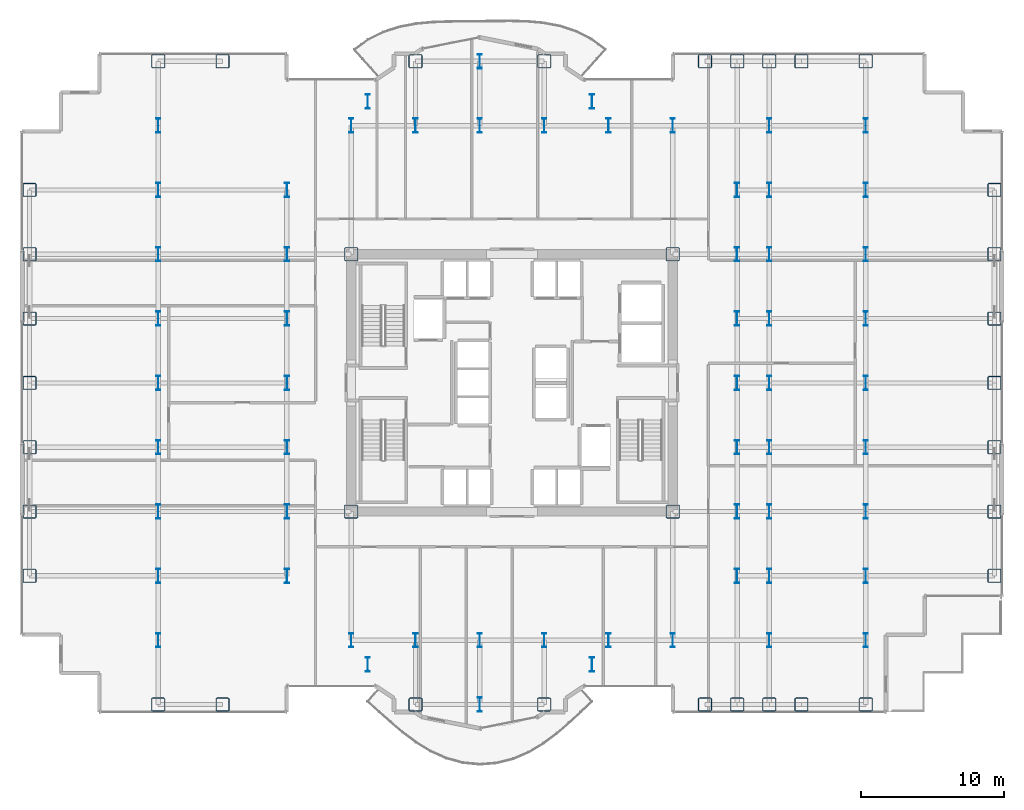
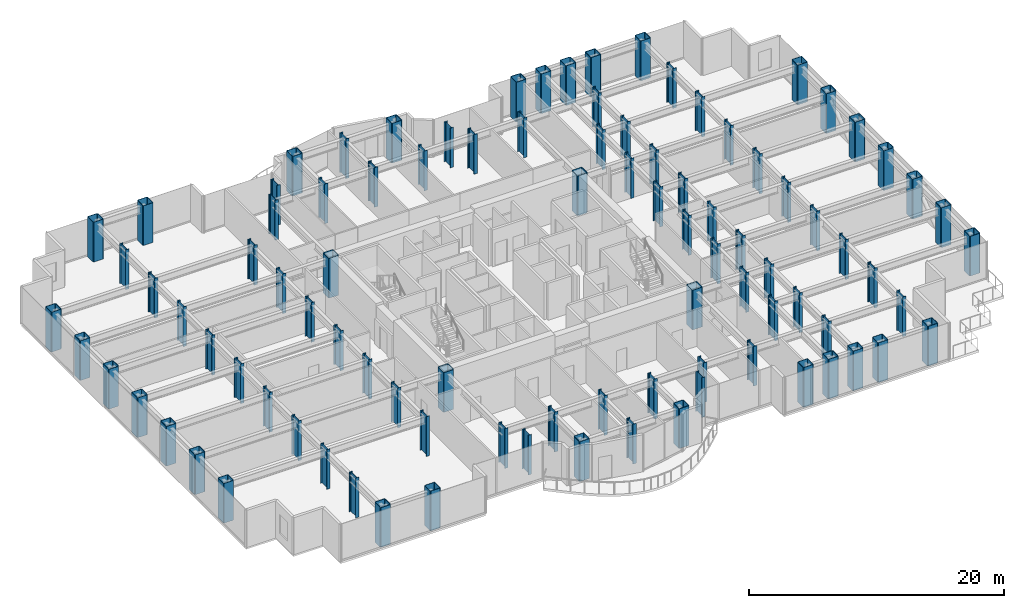
# One storey, part 1 of 29: 95 columns.
"""IFC4 building model written with IfcOpenShell, lengths in metres."""

from ifc_helpers import new_model, si_unit, direction, frame, origin, origin_2d, place, context, subcontext, project, spatial, hollow_rectangle, i_section, extrude, source, transform, mapped, material, material_profile, profile_set, type_object, element, save


model = new_model("IFC4")

# Units and contexts
model_context = context("Model", 3, precision=1e-05, world=origin(), true_north=direction((0.0, 1.0)))
body_context = subcontext(model_context, "Body", "Model", "MODEL_VIEW")
ifc_project = project(units=[si_unit("LENGTHUNIT", "METRE"), si_unit("AREAUNIT", "SQUARE_METRE"), si_unit("VOLUMEUNIT", "CUBIC_METRE"), si_unit("PLANEANGLEUNIT", "RADIAN"), si_unit("MASSUNIT", "GRAM", prefix="KILO")], contexts=[model_context])

# Site, building, storey
site_placement = place(None, origin())
site = spatial("IfcSite", under=ifc_project, at=site_placement, CompositionType="ELEMENT")
building_placement = place(site_placement, origin())
building = spatial("IfcBuilding", under=site, at=building_placement, Name="Nefas-Gora Pilgrimage Tower", CompositionType="ELEMENT")
storey_placement = place(building_placement, frame((0.0, 0.0, 67.199951171875)))
storey = spatial("IfcBuildingStorey", under=building, at=storey_placement, Name="L15", CompositionType="ELEMENT", Elevation=67.199951171875)

# Columns
ifc_material = material(Name="Steel S460", Category="steel")
ifc_material_profile_1 = material_profile(ifc_material, hollow_rectangle(XDim=0.949951171875, YDim=0.949951171875, WallThickness=0.044921875, InnerFilletRadius=0.044921875, OuterFilletRadius=0.090087890625, at=origin_2d()), Name="BOX 950x950x45")
ifc_profile_set_1 = profile_set([ifc_material_profile_1], Name="Steel S460")
column_type_1 = type_object("IfcColumnType", Name="COL-TUBE-950", PredefinedType="COLUMN", material=ifc_profile_set_1)
shared_shape_1 = source(origin(), body_context, "Body", "SweptSolid", [
    extrude(hollow_rectangle(XDim=0.949951171875, YDim=0.949951171875, WallThickness=0.044921875, InnerFilletRadius=0.044921875, OuterFilletRadius=0.090087890625, at=origin_2d()), origin(), (0.0, 0.0, 1.0), 3.800048828125),
])
for number, where, z_axis, x_axis, name in (
    (1, (-33.75, -13.5, 0.0), (0.0, 0.0, 1.0), (1.0, 0.0, 0.0), "L15 Tower Column C-Z1.1"),
    (2, (-33.75, -9.0, 0.0), (0.0, 0.0, 1.0), (1.0, 0.0, 0.0), "L15 Tower Column C-Z1.2"),
    (3, (-33.75, -4.5, 0.0), (0.0, 0.0, 1.0), (1.0, 0.0, 0.0), "L15 Tower Column C-Z1.3"),
    (4, (-33.75, 0.0, 0.0), (0.0, 0.0, 1.0), (1.0, 0.0, 0.0), "L15 Tower Column C-Z1.4"),
    (5, (-33.75, 4.5, 0.0), (0.0, 0.0, 1.0), (1.0, 0.0, 0.0), "L15 Tower Column C-Z1.5"),
    (6, (-33.75, 9.0, 0.0), (0.0, 0.0, 1.0), (1.0, 0.0, 0.0), "L15 Tower Column C-Z1.6"),
    (7, (-33.75, 13.5, 0.0), (0.0, 0.0, 1.0), (1.0, 0.0, 0.0), "L15 Tower Column C-Z1.7"),
    (8, (-24.75, -22.5, 0.0), (0.0, 0.0, 1.0), (1.0, 0.0, 0.0), "L15 Tower Column C-Z1.8"),
    (9, (-24.75, 22.5, 0.0), (0.0, 0.0, 1.0), (1.0, 0.0, 0.0), "L15 Tower Column C-Z1.18"),
    (10, (-20.25, -22.5, 0.0), (0.0, 0.0, 1.0), (1.0, 0.0, 0.0), "L15 Tower Column C-Z1.19"),
    (11, (-20.25, 22.5, 0.0), (0.0, 0.0, 1.0), (1.0, 0.0, 0.0), "L15 Tower Column C-Z1.20"),
    (12, (-6.75, -22.5, 0.0), (0.0, 0.0, 1.0), (1.0, 0.0, 0.0), "L15 Tower Column C-Z1.34"),
    (13, (-6.75, 22.5, 0.0), (0.0, 0.0, 1.0), (1.0, 0.0, 0.0), "L15 Tower Column C-Z1.37"),
    (14, (2.25, -22.5, 0.0), (0.0, 0.0, 1.0), (1.0, 0.0, 0.0), "L15 Tower Column C-Z1.42"),
    (15, (2.25, 22.5, 0.0), (0.0, 0.0, 1.0), (1.0, 0.0, 0.0), "L15 Tower Column C-Z1.45"),
    (16, (13.5, -22.5, 0.0), (0.0, 0.0, 1.0), (1.0, 0.0, 0.0), "L15 Tower Column C-Z1.54"),
    (17, (13.5, 22.5, 0.0), (0.0, 0.0, 1.0), (1.0, 0.0, 0.0), "L15 Tower Column C-Z1.55"),
    (18, (15.75, -22.5, 0.0), (0.0, 0.0, 1.0), (1.0, 0.0, 0.0), "L15 Tower Column C-Z1.56"),
    (19, (15.75, 22.5, 0.0), (0.0, 0.0, 1.0), (1.0, 0.0, 0.0), "L15 Tower Column C-Z1.64"),
    (20, (18.0, -22.5, 0.0), (0.0, 0.0, 1.0), (1.0, 0.0, 0.0), "L15 Tower Column C-Z1.65"),
    (21, (18.0, 22.5, 0.0), (0.0, 0.0, 1.0), (1.0, 0.0, 0.0), "L15 Tower Column C-Z1.75"),
    (22, (20.25, -22.5, 0.0), (0.0, 0.0, 1.0), (1.0, 0.0, 0.0), "L15 Tower Column C-Z1.76"),
    (23, (20.25, 22.5, 0.0), (0.0, 0.0, 1.0), (1.0, 0.0, 0.0), "L15 Tower Column C-Z1.77"),
    (24, (24.75, -22.5, 0.0), (0.0, 0.0, 1.0), (1.0, 0.0, 0.0), "L15 Tower Column C-Z1.78"),
    (25, (24.75, 22.5, 0.0), (0.0, 0.0, 1.0), (1.0, 0.0, 0.0), "L15 Tower Column C-Z1.88"),
    (26, (33.75, -13.5, 0.0), (0.0, 0.0, 1.0), (1.0, 0.0, 0.0), "L15 Tower Column C-Z1.89"),
    (27, (33.75, -9.0, 0.0), (0.0, 0.0, 1.0), (1.0, 0.0, 0.0), "L15 Tower Column C-Z1.90"),
    (28, (33.75, -4.5, 0.0), (0.0, 0.0, 1.0), (1.0, 0.0, 0.0), "L15 Tower Column C-Z1.91"),
    (29, (33.75, 0.0, 0.0), (0.0, 0.0, 1.0), (1.0, 0.0, 0.0), "L15 Tower Column C-Z1.92"),
    (30, (33.75, 4.5, 0.0), (0.0, 0.0, 1.0), (1.0, 0.0, 0.0), "L15 Tower Column C-Z1.93"),
    (31, (33.75, 9.0, 0.0), (0.0, 0.0, 1.0), (1.0, 0.0, 0.0), "L15 Tower Column C-Z1.94"),
    (32, (33.75, 13.5, 0.0), (0.0, 0.0, 1.0), (1.0, 0.0, 0.0), "L15 Tower Column C-Z1.95"),
):
    element("IfcColumn", number, at=place(storey_placement, frame(where, z_axis=z_axis, x_axis=x_axis)), inside=storey, type_object=column_type_1, Name=name, PredefinedType="COLUMN", context=body_context, shape_type="MappedRepresentation", body=[
        mapped(shared_shape_1, transform((0.0, 0.0, 0.0), x_axis=(1.0, 0.0, 0.0), y_axis=(0.0, 1.0, 0.0), z_axis=(0.0, 0.0, 1.0), scale=1.0)),
    ])
ifc_material_profile_2 = material_profile(ifc_material, i_section(OverallWidth=0.302001953125, OverallDepth=1.008056640625, WebThickness=0.02099609375, FlangeThickness=0.0400390625, FilletRadius=0.030029296875, at=origin_2d()), Name="HEM 1000")
ifc_profile_set_2 = profile_set([ifc_material_profile_2], Name="Steel S460")
column_type_2 = type_object("IfcColumnType", Name="COL-WEB-HEM1000", PredefinedType="COLUMN", material=ifc_profile_set_2)
shared_shape_2 = source(origin(), body_context, "Body", "SweptSolid", [
    extrude(i_section(OverallWidth=0.302001953125, OverallDepth=1.008056640625, WebThickness=0.02099609375, FlangeThickness=0.0400390625, FilletRadius=0.030029296875, at=origin_2d()), origin(), (0.0, 0.0, 1.0), 3.800048828125),
])
for number, where, z_axis, x_axis, name in (
    (33, (-24.75, -18.0, 0.0), (0.0, 0.0, 1.0), (1.0, 0.0, 0.0), "L15 Tower Column CW-01.9"),
    (34, (-24.75, -13.5, 0.0), (0.0, 0.0, 1.0), (1.0, 0.0, 0.0), "L15 Tower Column CW-01.10"),
    (35, (-24.75, -9.0, 0.0), (0.0, 0.0, 1.0), (1.0, 0.0, 0.0), "L15 Tower Column CW-01.11"),
    (36, (-24.75, -4.5, 0.0), (0.0, 0.0, 1.0), (1.0, 0.0, 0.0), "L15 Tower Column CW-01.12"),
    (37, (-24.75, 0.0, 0.0), (0.0, 0.0, 1.0), (1.0, 0.0, 0.0), "L15 Tower Column CW-01.13"),
    (38, (-24.75, 4.5, 0.0), (0.0, 0.0, 1.0), (1.0, 0.0, 0.0), "L15 Tower Column CW-01.14"),
    (39, (-24.75, 9.0, 0.0), (0.0, 0.0, 1.0), (1.0, 0.0, 0.0), "L15 Tower Column CW-01.15"),
    (40, (-24.75, 13.5, 0.0), (0.0, 0.0, 1.0), (1.0, 0.0, 0.0), "L15 Tower Column CW-01.16"),
    (41, (-24.75, 18.0, 0.0), (0.0, 0.0, 1.0), (1.0, 0.0, 0.0), "L15 Tower Column CW-01.17"),
    (42, (-15.75, -13.5, 0.0), (0.0, 0.0, 1.0), (1.0, 0.0, 0.0), "L15 Tower Column CW-01.21"),
    (43, (-15.75, -9.0, 0.0), (0.0, 0.0, 1.0), (1.0, 0.0, 0.0), "L15 Tower Column CW-01.22"),
    (44, (-15.75, -4.5, 0.0), (0.0, 0.0, 1.0), (1.0, 0.0, 0.0), "L15 Tower Column CW-01.23"),
    (45, (-15.75, 0.0, 0.0), (0.0, 0.0, 1.0), (1.0, 0.0, 0.0), "L15 Tower Column CW-01.24"),
    (46, (-15.75, 4.5, 0.0), (0.0, 0.0, 1.0), (1.0, 0.0, 0.0), "L15 Tower Column CW-01.25"),
    (47, (-15.75, 9.0, 0.0), (0.0, 0.0, 1.0), (1.0, 0.0, 0.0), "L15 Tower Column CW-01.26"),
    (48, (-15.75, 13.5, 0.0), (0.0, 0.0, 1.0), (1.0, 0.0, 0.0), "L15 Tower Column CW-01.27"),
    (49, (-11.25, -18.0, 0.0), (0.0, 0.0, 1.0), (1.0, 0.0, 0.0), "L15 Tower Column CW-01.28"),
    (50, (-11.25, 18.0, 0.0), (0.0, 0.0, 1.0), (1.0, 0.0, 0.0), "L15 Tower Column CW-01.31"),
    (51, (-10.091064453125, -19.696044921875, 0.0), (0.0, 0.0, 1.0), (1.0, 0.0, 0.0), "L15 Tower Column CW-01.32"),
    (52, (-10.091064453125, 19.696044921875, 0.0), (0.0, 0.0, 1.0), (1.0, 0.0, 0.0), "L15 Tower Column CW-01.33"),
    (53, (-6.75, -18.0, 0.0), (0.0, 0.0, 1.0), (1.0, 0.0, 0.0), "L15 Tower Column CW-01.35"),
    (54, (-6.75, 18.0, 0.0), (0.0, 0.0, 1.0), (1.0, 0.0, 0.0), "L15 Tower Column CW-01.36"),
    (55, (-2.25, -22.5, 0.0), (0.0, 0.0, 1.0), (1.0, 0.0, 0.0), "L15 Tower Column CW-01.38"),
    (56, (-2.25, -18.0, 0.0), (0.0, 0.0, 1.0), (1.0, 0.0, 0.0), "L15 Tower Column CW-01.39"),
    (57, (-2.25, 18.0, 0.0), (0.0, 0.0, 1.0), (1.0, 0.0, 0.0), "L15 Tower Column CW-01.40"),
    (58, (-2.25, 22.5, 0.0), (0.0, 0.0, 1.0), (1.0, 0.0, 0.0), "L15 Tower Column CW-01.41"),
    (59, (2.25, -18.0, 0.0), (0.0, 0.0, 1.0), (1.0, 0.0, 0.0), "L15 Tower Column CW-01.43"),
    (60, (2.25, 18.0, 0.0), (0.0, 0.0, 1.0), (1.0, 0.0, 0.0), "L15 Tower Column CW-01.44"),
    (61, (5.591064453125, -19.696044921875, 0.0), (0.0, 0.0, 1.0), (1.0, 0.0, 0.0), "L15 Tower Column CW-01.46"),
    (62, (5.591064453125, 19.696044921875, 0.0), (0.0, 0.0, 1.0), (1.0, 0.0, 0.0), "L15 Tower Column CW-01.47"),
    (63, (6.75, -18.0, 0.0), (0.0, 0.0, 1.0), (1.0, 0.0, 0.0), "L15 Tower Column CW-01.48"),
    (64, (6.75, 18.0, 0.0), (0.0, 0.0, 1.0), (1.0, 0.0, 0.0), "L15 Tower Column CW-01.49"),
    (65, (11.25, -18.0, 0.0), (0.0, 0.0, 1.0), (1.0, 0.0, 0.0), "L15 Tower Column CW-01.50"),
    (66, (11.25, 18.0, 0.0), (0.0, 0.0, 1.0), (1.0, 0.0, 0.0), "L15 Tower Column CW-01.53"),
    (67, (15.75, -13.5, 0.0), (0.0, 0.0, 1.0), (1.0, 0.0, 0.0), "L15 Tower Column CW-01.57"),
    (68, (15.75, -9.0, 0.0), (0.0, 0.0, 1.0), (1.0, 0.0, 0.0), "L15 Tower Column CW-01.58"),
    (69, (15.75, -4.5, 0.0), (0.0, 0.0, 1.0), (1.0, 0.0, 0.0), "L15 Tower Column CW-01.59"),
    (70, (15.75, 0.0, 0.0), (0.0, 0.0, 1.0), (1.0, 0.0, 0.0), "L15 Tower Column CW-01.60"),
    (71, (15.75, 4.5, 0.0), (0.0, 0.0, 1.0), (1.0, 0.0, 0.0), "L15 Tower Column CW-01.61"),
    (72, (15.75, 9.0, 0.0), (0.0, 0.0, 1.0), (1.0, 0.0, 0.0), "L15 Tower Column CW-01.62"),
    (73, (15.75, 13.5, 0.0), (0.0, 0.0, 1.0), (1.0, 0.0, 0.0), "L15 Tower Column CW-01.63"),
    (74, (18.0, -18.0, 0.0), (0.0, 0.0, 1.0), (1.0, 0.0, 0.0), "L15 Tower Column CW-01.66"),
    (75, (18.0, -13.5, 0.0), (0.0, 0.0, 1.0), (1.0, 0.0, 0.0), "L15 Tower Column CW-01.67"),
    (76, (18.0, -9.0, 0.0), (0.0, 0.0, 1.0), (1.0, 0.0, 0.0), "L15 Tower Column CW-01.68"),
    (77, (18.0, -4.5, 0.0), (0.0, 0.0, 1.0), (1.0, 0.0, 0.0), "L15 Tower Column CW-01.69"),
    (78, (18.0, 0.0, 0.0), (0.0, 0.0, 1.0), (1.0, 0.0, 0.0), "L15 Tower Column CW-01.70"),
    (79, (18.0, 4.5, 0.0), (0.0, 0.0, 1.0), (1.0, 0.0, 0.0), "L15 Tower Column CW-01.71"),
    (80, (18.0, 9.0, 0.0), (0.0, 0.0, 1.0), (1.0, 0.0, 0.0), "L15 Tower Column CW-01.72"),
    (81, (18.0, 13.5, 0.0), (0.0, 0.0, 1.0), (1.0, 0.0, 0.0), "L15 Tower Column CW-01.73"),
    (82, (18.0, 18.0, 0.0), (0.0, 0.0, 1.0), (1.0, 0.0, 0.0), "L15 Tower Column CW-01.74"),
    (83, (24.75, -18.0, 0.0), (0.0, 0.0, 1.0), (1.0, 0.0, 0.0), "L15 Tower Column CW-01.79"),
    (84, (24.75, -13.5, 0.0), (0.0, 0.0, 1.0), (1.0, 0.0, 0.0), "L15 Tower Column CW-01.80"),
    (85, (24.75, -9.0, 0.0), (0.0, 0.0, 1.0), (1.0, 0.0, 0.0), "L15 Tower Column CW-01.81"),
    (86, (24.75, -4.5, 0.0), (0.0, 0.0, 1.0), (1.0, 0.0, 0.0), "L15 Tower Column CW-01.82"),
    (87, (24.75, 0.0, 0.0), (0.0, 0.0, 1.0), (1.0, 0.0, 0.0), "L15 Tower Column CW-01.83"),
    (88, (24.75, 4.5, 0.0), (0.0, 0.0, 1.0), (1.0, 0.0, 0.0), "L15 Tower Column CW-01.84"),
    (89, (24.75, 9.0, 0.0), (0.0, 0.0, 1.0), (1.0, 0.0, 0.0), "L15 Tower Column CW-01.85"),
    (90, (24.75, 13.5, 0.0), (0.0, 0.0, 1.0), (1.0, 0.0, 0.0), "L15 Tower Column CW-01.86"),
    (91, (24.75, 18.0, 0.0), (0.0, 0.0, 1.0), (1.0, 0.0, 0.0), "L15 Tower Column CW-01.87"),
):
    element("IfcColumn", number, at=place(storey_placement, frame(where, z_axis=z_axis, x_axis=x_axis)), inside=storey, type_object=column_type_2, Name=name, PredefinedType="COLUMN", context=body_context, shape_type="MappedRepresentation", body=[
        mapped(shared_shape_2, transform((0.0, 0.0, 0.0), x_axis=(1.0, 0.0, 0.0), y_axis=(0.0, 1.0, 0.0), z_axis=(0.0, 0.0, 1.0), scale=1.0)),
    ])
ifc_material_profile_3 = material_profile(ifc_material, hollow_rectangle(XDim=0.949951171875, YDim=0.949951171875, WallThickness=0.044921875, InnerFilletRadius=0.044921875, OuterFilletRadius=0.090087890625, at=origin_2d()), Name="BOX 950x950x45")
ifc_profile_set_3 = profile_set([ifc_material_profile_3], Name="Steel S460")
column_type_3 = type_object("IfcColumnType", Name="COL-CORE-950", PredefinedType="COLUMN", material=ifc_profile_set_3)
shared_shape_3 = source(origin(), body_context, "Body", "SweptSolid", [
    extrude(hollow_rectangle(XDim=0.949951171875, YDim=0.949951171875, WallThickness=0.044921875, InnerFilletRadius=0.044921875, OuterFilletRadius=0.090087890625, at=origin_2d()), origin(), (0.0, 0.0, 1.0), 3.800048828125),
])
for number, where, z_axis, x_axis, name in (
    (92, (-11.25, -9.0, 0.0), (0.0, 0.0, 1.0), (1.0, 0.0, 0.0), "L15 Tower Column CC-Z1.29"),
    (93, (-11.25, 9.0, 0.0), (0.0, 0.0, 1.0), (1.0, 0.0, 0.0), "L15 Tower Column CC-Z1.30"),
    (94, (11.25, -9.0, 0.0), (0.0, 0.0, 1.0), (1.0, 0.0, 0.0), "L15 Tower Column CC-Z1.51"),
    (95, (11.25, 9.0, 0.0), (0.0, 0.0, 1.0), (1.0, 0.0, 0.0), "L15 Tower Column CC-Z1.52"),
):
    element("IfcColumn", number, at=place(storey_placement, frame(where, z_axis=z_axis, x_axis=x_axis)), inside=storey, type_object=column_type_3, Name=name, PredefinedType="COLUMN", context=body_context, shape_type="MappedRepresentation", body=[
        mapped(shared_shape_3, transform((0.0, 0.0, 0.0), x_axis=(1.0, 0.0, 0.0), y_axis=(0.0, 1.0, 0.0), z_axis=(0.0, 0.0, 1.0), scale=1.0)),
    ])

save(model, "model.ifc")
